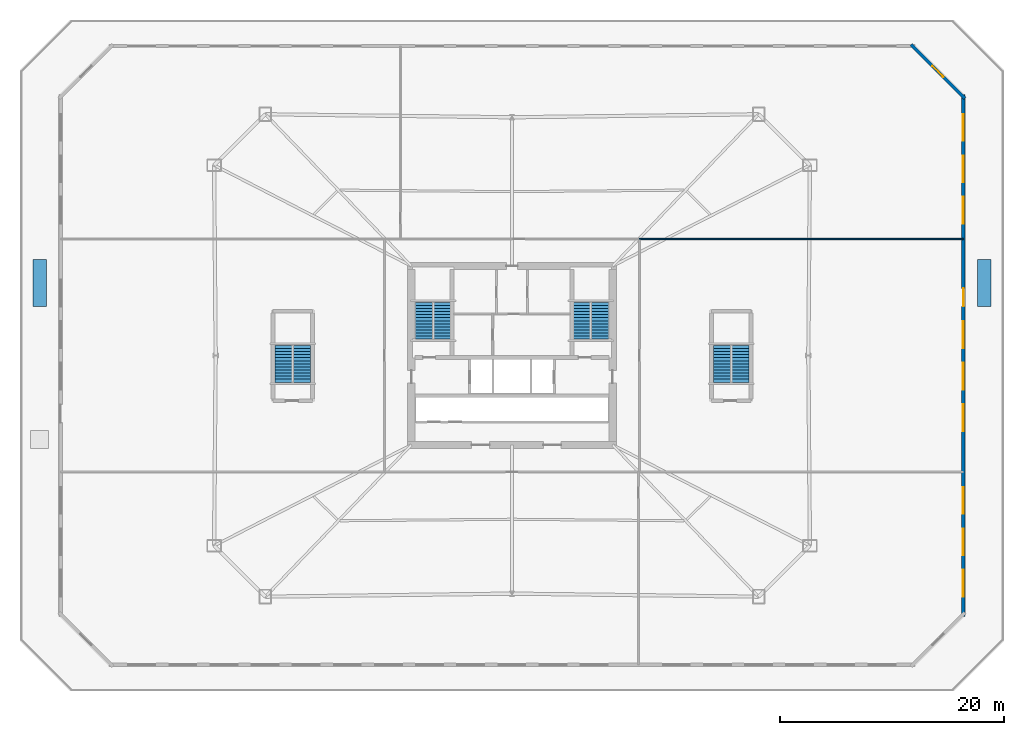
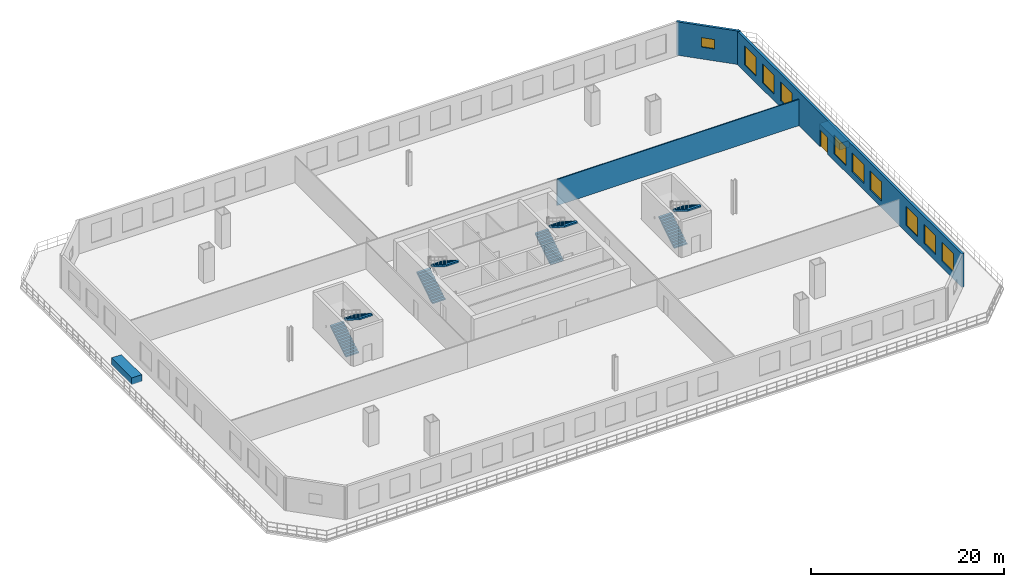
# One storey, part 6 of 9: 10 windows, 8 stair flights, 3 walls, 2 discrete accessories, 1 door, 11 openings, 4 elements without a shape of their own.
"""IFC4 building model written with IfcOpenShell, lengths in metres."""

from ifc_helpers import new_model, si_unit, direction, frame, frame_2d, origin, origin_2d, place, context, subcontext, project, spatial, polyline, rectangle, outline, extrude, material, layer, layer_set, type_object, element, fill, aggregate, save


model = new_model("IFC4")

# Units and contexts
model_context = context("Model", 3, precision=1e-05, world=origin(), true_north=direction((0.0, 1.0)))
body_context = subcontext(model_context, "Body", "Model", "MODEL_VIEW")
ifc_project = project(units=[si_unit("LENGTHUNIT", "METRE"), si_unit("AREAUNIT", "SQUARE_METRE"), si_unit("VOLUMEUNIT", "CUBIC_METRE"), si_unit("PLANEANGLEUNIT", "RADIAN"), si_unit("MASSUNIT", "GRAM", prefix="KILO")], contexts=[model_context])

# Site, building, storey
site_placement = place(None, origin())
site = spatial("IfcSite", under=ifc_project, at=site_placement, CompositionType="ELEMENT")
building_placement = place(site_placement, origin())
building = spatial("IfcBuilding", under=site, at=building_placement, Name="Caelvoria Tower", CompositionType="ELEMENT")
storey_placement = place(building_placement, frame((0.0, 0.0, 5.0)))
storey = spatial("IfcBuildingStorey", under=building, at=storey_placement, Name="L01", CompositionType="ELEMENT", Elevation=5.0)

# Wall, openings, windows, door
ifc_material_1 = material(Name="Precast Concrete C40/50 with Bronze Cladding", Category="concrete")
ifc_layer_1 = layer(ifc_material_1, 0.280029296875, Name="Precast Concrete C40/50 with Bronze Cladding")
ifc_layer_set_1 = layer_set([ifc_layer_1], Name="Exterior Precast Concrete C40/50 Bronze-Clad Facade Wall 280 - Precast Concrete C40/50 with Bronze Cladding")
wall_type_1 = type_object("IfcWallType", Name="Exterior Precast Concrete C40/50 Bronze-Clad Facade Wall 280", PredefinedType="STANDARD", material=ifc_layer_set_1)
wall_1_placement = place(storey_placement, frame((86.360107421875, 8.659912109375, 0.0), z_axis=(0.0, 0.0, 1.0), x_axis=(0.0, 1.0, 0.0)))
wall_1 = element("IfcWall", 1, at=wall_1_placement, inside=storey, type_object=wall_type_1, Name="Exterior Facade Wall L01-E2", PredefinedType="STANDARD", context=body_context, shape_type="SweptSolid", body=[
    extrude(rectangle(XDim=46.68017578125, YDim=0.280029296875, at=frame_2d((23.340087890625, 0.0))), origin(), (0.0, 0.0, 1.0), 4.219970703125),
])
opening_1_placement = place(wall_1_placement, frame((27.739990234375, 0.0, 0.0)))
opening_1 = element("IfcOpeningElement", 2, at=opening_1_placement, cuts=wall_1, Name="Opening ED-03", PredefinedType="OPENING", context=body_context, shape_type="SweptSolid", body=[
    extrude(rectangle(XDim=1.60009765625, YDim=2.14990234375, at=frame_2d((0.800048828125, 1.074951171875))), frame((0.0, 0.14990234375, 0.0), z_axis=(0.0, -1.0, 0.0), x_axis=(1.0, 0.0, 0.0)), (0.0, 0.0, 1.0), 0.300048828125),
])
opening_2_placement = place(wall_1_placement, frame((1.75341796875, 0.0, 0.85009765625)))
opening_2 = element("IfcOpeningElement", 3, at=opening_2_placement, cuts=wall_1, Name="Opening WN-04", PredefinedType="OPENING", context=body_context, shape_type="SweptSolid", body=[
    extrude(rectangle(XDim=2.39990234375, YDim=2.39990234375, at=frame_2d((1.199951171875, 1.199951171875))), frame((0.0, 0.14990234375, 0.0), z_axis=(0.0, -1.0, 0.0), x_axis=(1.0, 0.0, 0.0)), (0.0, 0.0, 1.0), 0.300048828125),
])
opening_3_placement = place(wall_1_placement, frame((5.4599609375, 0.0, 0.85009765625)))
opening_3 = element("IfcOpeningElement", 4, at=opening_3_placement, cuts=wall_1, Name="Opening WN-04", PredefinedType="OPENING", context=body_context, shape_type="SweptSolid", body=[
    extrude(rectangle(XDim=2.39990234375, YDim=2.39990234375, at=frame_2d((1.199951171875, 1.199951171875))), frame((0.0, 0.14990234375, 0.0), z_axis=(0.0, -1.0, 0.0), x_axis=(1.0, 0.0, 0.0)), (0.0, 0.0, 1.0), 0.300048828125),
])
opening_4_placement = place(wall_1_placement, frame((9.166748046875, 0.0, 0.85009765625)))
opening_4 = element("IfcOpeningElement", 5, at=opening_4_placement, cuts=wall_1, Name="Opening WN-04", PredefinedType="OPENING", context=body_context, shape_type="SweptSolid", body=[
    extrude(rectangle(XDim=2.39990234375, YDim=2.39990234375, at=frame_2d((1.199951171875, 1.199951171875))), frame((0.0, 0.14990234375, 0.0), z_axis=(0.0, -1.0, 0.0), x_axis=(1.0, 0.0, 0.0)), (0.0, 0.0, 1.0), 0.300048828125),
])
opening_5_placement = place(wall_1_placement, frame((16.580078125, 0.0, 0.85009765625)))
opening_5 = element("IfcOpeningElement", 6, at=opening_5_placement, cuts=wall_1, Name="Opening WN-04", PredefinedType="OPENING", context=body_context, shape_type="SweptSolid", body=[
    extrude(rectangle(XDim=2.39990234375, YDim=2.39990234375, at=frame_2d((1.199951171875, 1.199951171875))), frame((0.0, 0.14990234375, 0.0), z_axis=(0.0, -1.0, 0.0), x_axis=(1.0, 0.0, 0.0)), (0.0, 0.0, 1.0), 0.300048828125),
])
opening_6_placement = place(wall_1_placement, frame((20.28662109375, 0.0, 0.85009765625)))
opening_6 = element("IfcOpeningElement", 7, at=opening_6_placement, cuts=wall_1, Name="Opening WN-04", PredefinedType="OPENING", context=body_context, shape_type="SweptSolid", body=[
    extrude(rectangle(XDim=2.39990234375, YDim=2.39990234375, at=frame_2d((1.199951171875, 1.199951171875))), frame((0.0, 0.14990234375, 0.0), z_axis=(0.0, -1.0, 0.0), x_axis=(1.0, 0.0, 0.0)), (0.0, 0.0, 1.0), 0.300048828125),
])
opening_7_placement = place(wall_1_placement, frame((23.993408203125, 0.0, 0.85009765625)))
opening_7 = element("IfcOpeningElement", 8, at=opening_7_placement, cuts=wall_1, Name="Opening WN-04", PredefinedType="OPENING", context=body_context, shape_type="SweptSolid", body=[
    extrude(rectangle(XDim=2.39990234375, YDim=2.39990234375, at=frame_2d((1.199951171875, 1.199951171875))), frame((0.0, 0.14990234375, 0.0), z_axis=(0.0, -1.0, 0.0), x_axis=(1.0, 0.0, 0.0)), (0.0, 0.0, 1.0), 0.300048828125),
])
opening_8_placement = place(wall_1_placement, frame((35.11328125, 0.0, 0.85009765625)))
opening_8 = element("IfcOpeningElement", 9, at=opening_8_placement, cuts=wall_1, Name="Opening WN-04", PredefinedType="OPENING", context=body_context, shape_type="SweptSolid", body=[
    extrude(rectangle(XDim=2.39990234375, YDim=2.39990234375, at=frame_2d((1.199951171875, 1.199951171875))), frame((0.0, 0.14990234375, 0.0), z_axis=(0.0, -1.0, 0.0), x_axis=(1.0, 0.0, 0.0)), (0.0, 0.0, 1.0), 0.300048828125),
])
opening_9_placement = place(wall_1_placement, frame((38.820068359375, 0.0, 0.85009765625)))
opening_9 = element("IfcOpeningElement", 10, at=opening_9_placement, cuts=wall_1, Name="Opening WN-04", PredefinedType="OPENING", context=body_context, shape_type="SweptSolid", body=[
    extrude(rectangle(XDim=2.39990234375, YDim=2.39990234375, at=frame_2d((1.199951171875, 1.199951171875))), frame((0.0, 0.14990234375, 0.0), z_axis=(0.0, -1.0, 0.0), x_axis=(1.0, 0.0, 0.0)), (0.0, 0.0, 1.0), 0.300048828125),
])
opening_10_placement = place(wall_1_placement, frame((42.526611328125, 0.0, 0.85009765625)))
opening_10 = element("IfcOpeningElement", 11, at=opening_10_placement, cuts=wall_1, Name="Opening WN-04", PredefinedType="OPENING", context=body_context, shape_type="SweptSolid", body=[
    extrude(rectangle(XDim=2.39990234375, YDim=2.39990234375, at=frame_2d((1.199951171875, 1.199951171875))), frame((0.0, 0.14990234375, 0.0), z_axis=(0.0, -1.0, 0.0), x_axis=(1.0, 0.0, 0.0)), (0.0, 0.0, 1.0), 0.300048828125),
])
ifc_material_2 = material(Name="Low-E Tinted Glass in Bronze Aluminium Frame", Category="aluminium")
window_type_1 = type_object("IfcWindowType", Name="Podium Commercial Ribbon Window 2400x2400", PartitioningType="SINGLE_PANEL", PredefinedType="WINDOW", material=ifc_material_2)
window_1_placement = place(opening_2_placement, origin())
window_1 = element("IfcWindow", 12, at=window_1_placement, inside=storey, type_object=window_type_1, Name="Facade Window L01-E2-00", OverallHeight=2.39990234375, OverallWidth=2.39990234375, PartitioningType="SINGLE_PANEL", PredefinedType="WINDOW", context=body_context, shape_type="SweptSolid", body=[
    extrude(rectangle(XDim=2.39990234375, YDim=2.39990234375, at=frame_2d((1.199951171875, 1.199951171875))), frame((0.0, 0.030029296875, 0.0), z_axis=(0.0, -1.0, 0.0), x_axis=(1.0, 0.0, 0.0)), (0.0, 0.0, 1.0), 0.06005859375),
])
fill(opening_2, window_1)
window_2_placement = place(opening_3_placement, origin())
window_2 = element("IfcWindow", 13, at=window_2_placement, inside=storey, type_object=window_type_1, Name="Facade Window L01-E2-01", OverallHeight=2.39990234375, OverallWidth=2.39990234375, PartitioningType="SINGLE_PANEL", PredefinedType="WINDOW", context=body_context, shape_type="SweptSolid", body=[
    extrude(rectangle(XDim=2.39990234375, YDim=2.39990234375, at=frame_2d((1.199951171875, 1.199951171875))), frame((0.0, 0.030029296875, 0.0), z_axis=(0.0, -1.0, 0.0), x_axis=(1.0, 0.0, 0.0)), (0.0, 0.0, 1.0), 0.06005859375),
])
fill(opening_3, window_2)
window_3_placement = place(opening_4_placement, origin())
window_3 = element("IfcWindow", 14, at=window_3_placement, inside=storey, type_object=window_type_1, Name="Facade Window L01-E2-02", OverallHeight=2.39990234375, OverallWidth=2.39990234375, PartitioningType="SINGLE_PANEL", PredefinedType="WINDOW", context=body_context, shape_type="SweptSolid", body=[
    extrude(rectangle(XDim=2.39990234375, YDim=2.39990234375, at=frame_2d((1.199951171875, 1.199951171875))), frame((0.0, 0.030029296875, 0.0), z_axis=(0.0, -1.0, 0.0), x_axis=(1.0, 0.0, 0.0)), (0.0, 0.0, 1.0), 0.06005859375),
])
fill(opening_4, window_3)
window_4_placement = place(opening_5_placement, origin())
window_4 = element("IfcWindow", 15, at=window_4_placement, inside=storey, type_object=window_type_1, Name="Facade Window L01-E2-04", OverallHeight=2.39990234375, OverallWidth=2.39990234375, PartitioningType="SINGLE_PANEL", PredefinedType="WINDOW", context=body_context, shape_type="SweptSolid", body=[
    extrude(rectangle(XDim=2.39990234375, YDim=2.39990234375, at=frame_2d((1.199951171875, 1.199951171875))), frame((0.0, 0.030029296875, 0.0), z_axis=(0.0, -1.0, 0.0), x_axis=(1.0, 0.0, 0.0)), (0.0, 0.0, 1.0), 0.06005859375),
])
fill(opening_5, window_4)
window_5_placement = place(opening_6_placement, origin())
window_5 = element("IfcWindow", 16, at=window_5_placement, inside=storey, type_object=window_type_1, Name="Facade Window L01-E2-05", OverallHeight=2.39990234375, OverallWidth=2.39990234375, PartitioningType="SINGLE_PANEL", PredefinedType="WINDOW", context=body_context, shape_type="SweptSolid", body=[
    extrude(rectangle(XDim=2.39990234375, YDim=2.39990234375, at=frame_2d((1.199951171875, 1.199951171875))), frame((0.0, 0.030029296875, 0.0), z_axis=(0.0, -1.0, 0.0), x_axis=(1.0, 0.0, 0.0)), (0.0, 0.0, 1.0), 0.06005859375),
])
fill(opening_6, window_5)
window_6_placement = place(opening_7_placement, origin())
window_6 = element("IfcWindow", 17, at=window_6_placement, inside=storey, type_object=window_type_1, Name="Facade Window L01-E2-06", OverallHeight=2.39990234375, OverallWidth=2.39990234375, PartitioningType="SINGLE_PANEL", PredefinedType="WINDOW", context=body_context, shape_type="SweptSolid", body=[
    extrude(rectangle(XDim=2.39990234375, YDim=2.39990234375, at=frame_2d((1.199951171875, 1.199951171875))), frame((0.0, 0.030029296875, 0.0), z_axis=(0.0, -1.0, 0.0), x_axis=(1.0, 0.0, 0.0)), (0.0, 0.0, 1.0), 0.06005859375),
])
fill(opening_7, window_6)
window_7_placement = place(opening_8_placement, origin())
window_7 = element("IfcWindow", 18, at=window_7_placement, inside=storey, type_object=window_type_1, Name="Facade Window L01-E2-09", OverallHeight=2.39990234375, OverallWidth=2.39990234375, PartitioningType="SINGLE_PANEL", PredefinedType="WINDOW", context=body_context, shape_type="SweptSolid", body=[
    extrude(rectangle(XDim=2.39990234375, YDim=2.39990234375, at=frame_2d((1.199951171875, 1.199951171875))), frame((0.0, 0.030029296875, 0.0), z_axis=(0.0, -1.0, 0.0), x_axis=(1.0, 0.0, 0.0)), (0.0, 0.0, 1.0), 0.06005859375),
])
fill(opening_8, window_7)
window_8_placement = place(opening_9_placement, origin())
window_8 = element("IfcWindow", 19, at=window_8_placement, inside=storey, type_object=window_type_1, Name="Facade Window L01-E2-10", OverallHeight=2.39990234375, OverallWidth=2.39990234375, PartitioningType="SINGLE_PANEL", PredefinedType="WINDOW", context=body_context, shape_type="SweptSolid", body=[
    extrude(rectangle(XDim=2.39990234375, YDim=2.39990234375, at=frame_2d((1.199951171875, 1.199951171875))), frame((0.0, 0.030029296875, 0.0), z_axis=(0.0, -1.0, 0.0), x_axis=(1.0, 0.0, 0.0)), (0.0, 0.0, 1.0), 0.06005859375),
])
fill(opening_9, window_8)
window_9_placement = place(opening_10_placement, origin())
window_9 = element("IfcWindow", 20, at=window_9_placement, inside=storey, type_object=window_type_1, Name="Facade Window L01-E2-11", OverallHeight=2.39990234375, OverallWidth=2.39990234375, PartitioningType="SINGLE_PANEL", PredefinedType="WINDOW", context=body_context, shape_type="SweptSolid", body=[
    extrude(rectangle(XDim=2.39990234375, YDim=2.39990234375, at=frame_2d((1.199951171875, 1.199951171875))), frame((0.0, 0.030029296875, 0.0), z_axis=(0.0, -1.0, 0.0), x_axis=(1.0, 0.0, 0.0)), (0.0, 0.0, 1.0), 0.06005859375),
])
fill(opening_10, window_9)
ifc_material_3 = material(Name="Anodised Bronze Aluminium and Laminated Glass", Category="aluminium")
door_type = type_object("IfcDoorType", Name="Terrace Garden Double Glazed Door 1600x2150", OperationType="NOTDEFINED", PredefinedType="DOOR", material=ifc_material_3)
door_placement = place(opening_1_placement, origin())
door = element("IfcDoor", 21, at=door_placement, inside=storey, type_object=door_type, Name="Terrace Roof Garden Door L01-E", OperationType="DOUBLE_DOOR_SINGLE_SWING", OverallHeight=2.14990234375, OverallWidth=1.60009765625, PredefinedType="DOOR", context=body_context, shape_type="SweptSolid", body=[
    extrude(rectangle(XDim=1.60009765625, YDim=2.14990234375, at=frame_2d((0.800048828125, 1.074951171875))), frame((0.0, 0.02490234375, 0.0), z_axis=(0.0, -1.0, 0.0), x_axis=(1.0, 0.0, 0.0)), (0.0, 0.0, 1.0), 0.050048828125),
])
fill(opening_1, door)

# Wall, opening, window
wall_2_placement = place(storey_placement, frame((86.5, 55.001953125, 0.0), z_axis=(0.0, 0.0, 1.0), x_axis=(-0.707106781187, 0.707106781187, 0.0)))
wall_2 = element("IfcWall", 22, at=wall_2_placement, inside=storey, type_object=wall_type_1, Name="Exterior Facade Wall L01-E3", PredefinedType="STANDARD", context=body_context, shape_type="SweptSolid", body=[
    extrude(rectangle(XDim=6.78564453125, YDim=0.280029296875, at=frame_2d((3.392822265625, 0.0))), origin(), (0.0, 0.0, 1.0), 4.219970703125),
])
opening_11_placement = place(wall_2_placement, frame((2.692626953125, 0.0, 1.5)))
opening_11 = element("IfcOpeningElement", 23, at=opening_11_placement, cuts=wall_2, Name="Opening WN-06", PredefinedType="OPENING", context=body_context, shape_type="SweptSolid", body=[
    extrude(rectangle(XDim=1.39990234375, YDim=1.199951171875, at=frame_2d((0.699951171875, 0.60009765625))), frame((0.0, 0.14990234375, 0.0), z_axis=(0.0, -1.0, 0.0), x_axis=(1.0, 0.0, 0.0)), (0.0, 0.0, 1.0), 0.300048828125),
])
window_type_2 = type_object("IfcWindowType", Name="Podium Clerestory Window 1400x1200", PartitioningType="SINGLE_PANEL", PredefinedType="WINDOW", material=ifc_material_2)
window_10_placement = place(opening_11_placement, origin())
window_10 = element("IfcWindow", 24, at=window_10_placement, inside=storey, type_object=window_type_2, Name="Facade Window L01-E3-00", OverallHeight=1.199951171875, OverallWidth=1.39990234375, PartitioningType="SINGLE_PANEL", PredefinedType="WINDOW", context=body_context, shape_type="SweptSolid", body=[
    extrude(rectangle(XDim=1.39990234375, YDim=1.199951171875, at=frame_2d((0.699951171875, 0.60009765625))), frame((0.0, 0.030029296875, 0.0), z_axis=(0.0, -1.0, 0.0), x_axis=(1.0, 0.0, 0.0)), (0.0, 0.0, 1.0), 0.06005859375),
])
fill(opening_11, window_10)

# Wall
ifc_material_4 = material(Name="Acoustic Gypsum Board on Light-Gauge Stud", Category="gypsum")
ifc_layer_2 = layer(ifc_material_4, 0.1201171875, Name="Acoustic Gypsum Board on Light-Gauge Stud")
ifc_layer_set_2 = layer_set([ifc_layer_2], Name="Tenant Suite Acoustic Partition Wall 120 - Acoustic Gypsum Board on Light-Gauge Stud")
wall_type_2 = type_object("IfcWallType", Name="Tenant Suite Acoustic Partition Wall 120", PredefinedType="PARTITIONING", material=ifc_layer_set_2)
wall_3_placement = place(storey_placement, frame((57.35009765625, 42.409912109375, 0.0), z_axis=(0.0, 0.0, 1.0), x_axis=(1.0, 0.0, 0.0)))
element("IfcWall", 25, at=wall_3_placement, inside=storey, type_object=wall_type_2, Name="Interior Partition IW-L01-BNE-0", PredefinedType="PARTITIONING", context=body_context, shape_type="SweptSolid", body=[
    extrude(rectangle(XDim=29.010009765625, YDim=0.1201171875, at=frame_2d((14.5048828125, 0.0))), origin(), (0.0, 0.0, 1.0), 3.320068359375),
])

# Stair, stair flights
ifc_material_5 = material(Name="Concrete C40/50", Category="concrete")
stair_type = type_object("IfcStairType", Name="Core Smokeproof Dogleg Stair Concrete C40/50", PredefinedType="HALF_TURN_STAIR", material=ifc_material_5)
stair_1_placement = place(storey_placement, origin())
stair_1 = element("IfcStair", 26, at=stair_1_placement, inside=storey, type_object=stair_type, Name="ST-01 Smokeproof Exit Stair L01", PredefinedType="HALF_TURN_STAIR")
ifc_material_6 = material(Name="Precast Concrete C40/50", Category="concrete")
stair_flight_type = type_object("IfcStairFlightType", Name="Precast Concrete C40/50 Stair Flight 1480", PredefinedType="STRAIGHT", material=ifc_material_6)
stair_flight_1_placement = place(storey_placement, frame((38.1298828125, 33.449951171875, 0.0), z_axis=(0.0, 0.0, 1.0), x_axis=(0.0, 1.0, 0.0)))
stair_flight_1 = element("IfcStairFlight", 27, at=stair_flight_1_placement, type_object=stair_flight_type, Name="ST-01 flight 1", NumberOfRisers=13, NumberOfTreads=12, PredefinedType="STRAIGHT", RiserHeight=0.1731, TreadLength=0.275, context=body_context, shape_type="SweptSolid", body=[
    extrude(outline(polyline([(0.0, 0.0), (0.0, 0.173095703125), (0.27490234375, 0.173095703125), (0.27490234375, 0.34619140625), (0.550048828125, 0.34619140625), (0.550048828125, 0.519287109375), (0.824951171875, 0.519287109375), (0.824951171875, 0.6923828125), (1.10009765625, 0.6923828125), (1.10009765625, 0.865478515625), (1.375, 0.865478515625), (1.375, 1.03857421875), (1.64990234375, 1.03857421875), (1.64990234375, 1.211669921875), (1.925048828125, 1.211669921875), (1.925048828125, 1.384765625), (2.199951171875, 1.384765625), (2.199951171875, 1.557861328125), (2.47509765625, 1.557861328125), (2.47509765625, 1.73095703125), (2.75, 1.73095703125), (2.75, 1.904052734375), (3.02490234375, 1.904052734375), (3.02490234375, 2.0771484375), (3.300048828125, 2.0771484375), (3.300048828125, 2.250244140625), (3.300048828125, 1.88818359375), (0.30029296875, 0.0), (0.0, 0.0)])), frame((0.0, 0.77001953125, 0.0), z_axis=(0.0, -1.0, 0.0), x_axis=(1.0, 0.0, 0.0)), (0.0, 0.0, 1.0), 1.5400390625),
])
stair_flight_2_placement = place(storey_placement, frame((39.77001953125, 36.75, 2.25), z_axis=(0.0, 0.0, 1.0), x_axis=(0.0, -1.0, 0.0)))
stair_flight_2 = element("IfcStairFlight", 28, at=stair_flight_2_placement, type_object=stair_flight_type, Name="ST-01 flight 2", NumberOfRisers=13, NumberOfTreads=12, PredefinedType="STRAIGHT", RiserHeight=0.1731, TreadLength=0.275, context=body_context, shape_type="SweptSolid", body=[
    extrude(outline(polyline([(0.0, 0.0), (0.0, 0.173095703125), (0.27490234375, 0.173095703125), (0.27490234375, 0.34619140625), (0.550048828125, 0.34619140625), (0.550048828125, 0.519287109375), (0.824951171875, 0.519287109375), (0.824951171875, 0.6923828125), (1.10009765625, 0.6923828125), (1.10009765625, 0.865478515625), (1.375, 0.865478515625), (1.375, 1.03857421875), (1.64990234375, 1.03857421875), (1.64990234375, 1.211669921875), (1.925048828125, 1.211669921875), (1.925048828125, 1.384765625), (2.199951171875, 1.384765625), (2.199951171875, 1.557861328125), (2.47509765625, 1.557861328125), (2.47509765625, 1.73095703125), (2.75, 1.73095703125), (2.75, 1.904052734375), (3.02490234375, 1.904052734375), (3.02490234375, 2.0771484375), (3.300048828125, 2.0771484375), (3.300048828125, 2.250244140625), (3.300048828125, 1.88818359375), (0.30029296875, 0.0), (0.0, 0.0)])), frame((0.0, 0.77001953125, 0.0), z_axis=(0.0, -1.0, 0.0), x_axis=(1.0, 0.0, 0.0)), (0.0, 0.0, 1.0), 1.5400390625),
])
aggregate(stair_1, [stair_flight_1, stair_flight_2])

stair_2_placement = place(storey_placement, origin())
stair_2 = element("IfcStair", 29, at=stair_2_placement, inside=storey, type_object=stair_type, Name="ST-02 Smokeproof Exit Stair L01", PredefinedType="HALF_TURN_STAIR")
stair_flight_3_placement = place(storey_placement, frame((52.22998046875, 33.449951171875, 0.0), z_axis=(0.0, 0.0, 1.0), x_axis=(0.0, 1.0, 0.0)))
stair_flight_3 = element("IfcStairFlight", 30, at=stair_flight_3_placement, type_object=stair_flight_type, Name="ST-02 flight 1", NumberOfRisers=13, NumberOfTreads=12, PredefinedType="STRAIGHT", RiserHeight=0.1731, TreadLength=0.275, context=body_context, shape_type="SweptSolid", body=[
    extrude(outline(polyline([(0.0, 0.0), (0.0, 0.173095703125), (0.27490234375, 0.173095703125), (0.27490234375, 0.34619140625), (0.550048828125, 0.34619140625), (0.550048828125, 0.519287109375), (0.824951171875, 0.519287109375), (0.824951171875, 0.6923828125), (1.10009765625, 0.6923828125), (1.10009765625, 0.865478515625), (1.375, 0.865478515625), (1.375, 1.03857421875), (1.64990234375, 1.03857421875), (1.64990234375, 1.211669921875), (1.925048828125, 1.211669921875), (1.925048828125, 1.384765625), (2.199951171875, 1.384765625), (2.199951171875, 1.557861328125), (2.47509765625, 1.557861328125), (2.47509765625, 1.73095703125), (2.75, 1.73095703125), (2.75, 1.904052734375), (3.02490234375, 1.904052734375), (3.02490234375, 2.0771484375), (3.300048828125, 2.0771484375), (3.300048828125, 2.250244140625), (3.300048828125, 1.88818359375), (0.30029296875, 0.0), (0.0, 0.0)])), frame((0.0, 0.77001953125, 0.0), z_axis=(0.0, -1.0, 0.0), x_axis=(1.0, 0.0, 0.0)), (0.0, 0.0, 1.0), 1.5400390625),
])
stair_flight_4_placement = place(storey_placement, frame((53.8701171875, 36.75, 2.25), z_axis=(0.0, 0.0, 1.0), x_axis=(0.0, -1.0, 0.0)))
stair_flight_4 = element("IfcStairFlight", 31, at=stair_flight_4_placement, type_object=stair_flight_type, Name="ST-02 flight 2", NumberOfRisers=13, NumberOfTreads=12, PredefinedType="STRAIGHT", RiserHeight=0.1731, TreadLength=0.275, context=body_context, shape_type="SweptSolid", body=[
    extrude(outline(polyline([(0.0, 0.0), (0.0, 0.173095703125), (0.27490234375, 0.173095703125), (0.27490234375, 0.34619140625), (0.550048828125, 0.34619140625), (0.550048828125, 0.519287109375), (0.824951171875, 0.519287109375), (0.824951171875, 0.6923828125), (1.10009765625, 0.6923828125), (1.10009765625, 0.865478515625), (1.375, 0.865478515625), (1.375, 1.03857421875), (1.64990234375, 1.03857421875), (1.64990234375, 1.211669921875), (1.925048828125, 1.211669921875), (1.925048828125, 1.384765625), (2.199951171875, 1.384765625), (2.199951171875, 1.557861328125), (2.47509765625, 1.557861328125), (2.47509765625, 1.73095703125), (2.75, 1.73095703125), (2.75, 1.904052734375), (3.02490234375, 1.904052734375), (3.02490234375, 2.0771484375), (3.300048828125, 2.0771484375), (3.300048828125, 2.250244140625), (3.300048828125, 1.88818359375), (0.30029296875, 0.0), (0.0, 0.0)])), frame((0.0, 0.77001953125, 0.0), z_axis=(0.0, -1.0, 0.0), x_axis=(1.0, 0.0, 0.0)), (0.0, 0.0, 1.0), 1.5400390625),
])
aggregate(stair_2, [stair_flight_3, stair_flight_4])

stair_3_placement = place(storey_placement, origin())
stair_3 = element("IfcStair", 32, at=stair_3_placement, inside=storey, type_object=stair_type, Name="ST-03 Smokeproof Exit Stair L01", PredefinedType="HALF_TURN_STAIR")
stair_flight_5_placement = place(storey_placement, frame((25.580078125, 29.60009765625, 0.0), z_axis=(0.0, 0.0, 1.0), x_axis=(0.0, 1.0, 0.0)))
stair_flight_5 = element("IfcStairFlight", 33, at=stair_flight_5_placement, type_object=stair_flight_type, Name="ST-03 flight 1", NumberOfRisers=13, NumberOfTreads=12, PredefinedType="STRAIGHT", RiserHeight=0.1731, TreadLength=0.275, context=body_context, shape_type="SweptSolid", body=[
    extrude(outline(polyline([(0.0, 0.0), (0.0, 0.173095703125), (0.27490234375, 0.173095703125), (0.27490234375, 0.34619140625), (0.550048828125, 0.34619140625), (0.550048828125, 0.519287109375), (0.824951171875, 0.519287109375), (0.824951171875, 0.6923828125), (1.10009765625, 0.6923828125), (1.10009765625, 0.865478515625), (1.375, 0.865478515625), (1.375, 1.03857421875), (1.64990234375, 1.03857421875), (1.64990234375, 1.211669921875), (1.925048828125, 1.211669921875), (1.925048828125, 1.384765625), (2.199951171875, 1.384765625), (2.199951171875, 1.557861328125), (2.47509765625, 1.557861328125), (2.47509765625, 1.73095703125), (2.75, 1.73095703125), (2.75, 1.904052734375), (3.02490234375, 1.904052734375), (3.02490234375, 2.0771484375), (3.300048828125, 2.0771484375), (3.300048828125, 2.250244140625), (3.300048828125, 1.88818359375), (0.30029296875, 0.0), (0.0, 0.0)])), frame((0.0, 0.77001953125, 0.0), z_axis=(0.0, -1.0, 0.0), x_axis=(1.0, 0.0, 0.0)), (0.0, 0.0, 1.0), 1.5400390625),
])
stair_flight_6_placement = place(storey_placement, frame((27.219970703125, 32.89990234375, 2.25), z_axis=(0.0, 0.0, 1.0), x_axis=(0.0, -1.0, 0.0)))
stair_flight_6 = element("IfcStairFlight", 34, at=stair_flight_6_placement, type_object=stair_flight_type, Name="ST-03 flight 2", NumberOfRisers=13, NumberOfTreads=12, PredefinedType="STRAIGHT", RiserHeight=0.1731, TreadLength=0.275, context=body_context, shape_type="SweptSolid", body=[
    extrude(outline(polyline([(0.0, 0.0), (0.0, 0.173095703125), (0.27490234375, 0.173095703125), (0.27490234375, 0.34619140625), (0.550048828125, 0.34619140625), (0.550048828125, 0.519287109375), (0.824951171875, 0.519287109375), (0.824951171875, 0.6923828125), (1.10009765625, 0.6923828125), (1.10009765625, 0.865478515625), (1.375, 0.865478515625), (1.375, 1.03857421875), (1.64990234375, 1.03857421875), (1.64990234375, 1.211669921875), (1.925048828125, 1.211669921875), (1.925048828125, 1.384765625), (2.199951171875, 1.384765625), (2.199951171875, 1.557861328125), (2.47509765625, 1.557861328125), (2.47509765625, 1.73095703125), (2.75, 1.73095703125), (2.75, 1.904052734375), (3.02490234375, 1.904052734375), (3.02490234375, 2.0771484375), (3.300048828125, 2.0771484375), (3.300048828125, 2.250244140625), (3.300048828125, 1.88818359375), (0.30029296875, 0.0), (0.0, 0.0)])), frame((0.0, 0.77001953125, 0.0), z_axis=(0.0, -1.0, 0.0), x_axis=(1.0, 0.0, 0.0)), (0.0, 0.0, 1.0), 1.5400390625),
])
aggregate(stair_3, [stair_flight_5, stair_flight_6])

stair_4_placement = place(storey_placement, origin())
stair_4 = element("IfcStair", 35, at=stair_4_placement, inside=storey, type_object=stair_type, Name="ST-04 Smokeproof Exit Stair L01", PredefinedType="HALF_TURN_STAIR")
stair_flight_7_placement = place(storey_placement, frame((64.780029296875, 29.60009765625, 0.0), z_axis=(0.0, 0.0, 1.0), x_axis=(0.0, 1.0, 0.0)))
stair_flight_7 = element("IfcStairFlight", 36, at=stair_flight_7_placement, type_object=stair_flight_type, Name="ST-04 flight 1", NumberOfRisers=13, NumberOfTreads=12, PredefinedType="STRAIGHT", RiserHeight=0.1731, TreadLength=0.275, context=body_context, shape_type="SweptSolid", body=[
    extrude(outline(polyline([(0.0, 0.0), (0.0, 0.173095703125), (0.27490234375, 0.173095703125), (0.27490234375, 0.34619140625), (0.550048828125, 0.34619140625), (0.550048828125, 0.519287109375), (0.824951171875, 0.519287109375), (0.824951171875, 0.6923828125), (1.10009765625, 0.6923828125), (1.10009765625, 0.865478515625), (1.375, 0.865478515625), (1.375, 1.03857421875), (1.64990234375, 1.03857421875), (1.64990234375, 1.211669921875), (1.925048828125, 1.211669921875), (1.925048828125, 1.384765625), (2.199951171875, 1.384765625), (2.199951171875, 1.557861328125), (2.47509765625, 1.557861328125), (2.47509765625, 1.73095703125), (2.75, 1.73095703125), (2.75, 1.904052734375), (3.02490234375, 1.904052734375), (3.02490234375, 2.0771484375), (3.300048828125, 2.0771484375), (3.300048828125, 2.250244140625), (3.300048828125, 1.88818359375), (0.30029296875, 0.0), (0.0, 0.0)])), frame((0.0, 0.77001953125, 0.0), z_axis=(0.0, -1.0, 0.0), x_axis=(1.0, 0.0, 0.0)), (0.0, 0.0, 1.0), 1.5400390625),
])
stair_flight_8_placement = place(storey_placement, frame((66.419921875, 32.89990234375, 2.25), z_axis=(0.0, 0.0, 1.0), x_axis=(0.0, -1.0, 0.0)))
stair_flight_8 = element("IfcStairFlight", 37, at=stair_flight_8_placement, type_object=stair_flight_type, Name="ST-04 flight 2", NumberOfRisers=13, NumberOfTreads=12, PredefinedType="STRAIGHT", RiserHeight=0.1731, TreadLength=0.275, context=body_context, shape_type="SweptSolid", body=[
    extrude(outline(polyline([(0.0, 0.0), (0.0, 0.173095703125), (0.27490234375, 0.173095703125), (0.27490234375, 0.34619140625), (0.550048828125, 0.34619140625), (0.550048828125, 0.519287109375), (0.824951171875, 0.519287109375), (0.824951171875, 0.6923828125), (1.10009765625, 0.6923828125), (1.10009765625, 0.865478515625), (1.375, 0.865478515625), (1.375, 1.03857421875), (1.64990234375, 1.03857421875), (1.64990234375, 1.211669921875), (1.925048828125, 1.211669921875), (1.925048828125, 1.384765625), (2.199951171875, 1.384765625), (2.199951171875, 1.557861328125), (2.47509765625, 1.557861328125), (2.47509765625, 1.73095703125), (2.75, 1.73095703125), (2.75, 1.904052734375), (3.02490234375, 1.904052734375), (3.02490234375, 2.0771484375), (3.300048828125, 2.0771484375), (3.300048828125, 2.250244140625), (3.300048828125, 1.88818359375), (0.30029296875, 0.0), (0.0, 0.0)])), frame((0.0, 0.77001953125, 0.0), z_axis=(0.0, -1.0, 0.0), x_axis=(1.0, 0.0, 0.0)), (0.0, 0.0, 1.0), 1.5400390625),
])
aggregate(stair_4, [stair_flight_7, stair_flight_8])

# Discrete accessories
ifc_material_7 = material(Name="Bronze-Clad Concrete C40/50 Planter Vessel", Category="concrete")
discrete_accessory_type = type_object("IfcDiscreteAccessoryType", Name="Podium Terrace Garden Planter Bed PLANTER", PredefinedType="USERDEFINED", material=ifc_material_7)
for number, where, z_axis, x_axis, name in (
    (38, (3.75, 38.5, 0.0), (0.0, 0.0, 1.0), (1.0, 0.0, 0.0), "Terrace Planted Bed L01-W"),
    (39, (88.25, 38.5, 0.0), (0.0, 0.0, 1.0), (1.0, 0.0, 0.0), "Terrace Planted Bed L01-E"),
):
    element("IfcDiscreteAccessory", number, at=place(storey_placement, frame(where, z_axis=z_axis, x_axis=x_axis)), inside=storey, type_object=discrete_accessory_type, Name=name, ObjectType="PLANTER", PredefinedType="USERDEFINED", context=body_context, shape_type="SweptSolid", body=[
        extrude(rectangle(XDim=1.199951171875, YDim=4.199951171875, at=origin_2d()), origin(), (0.0, 0.0, 1.0), 0.85009765625),
    ])

save(model, "model.ifc")
